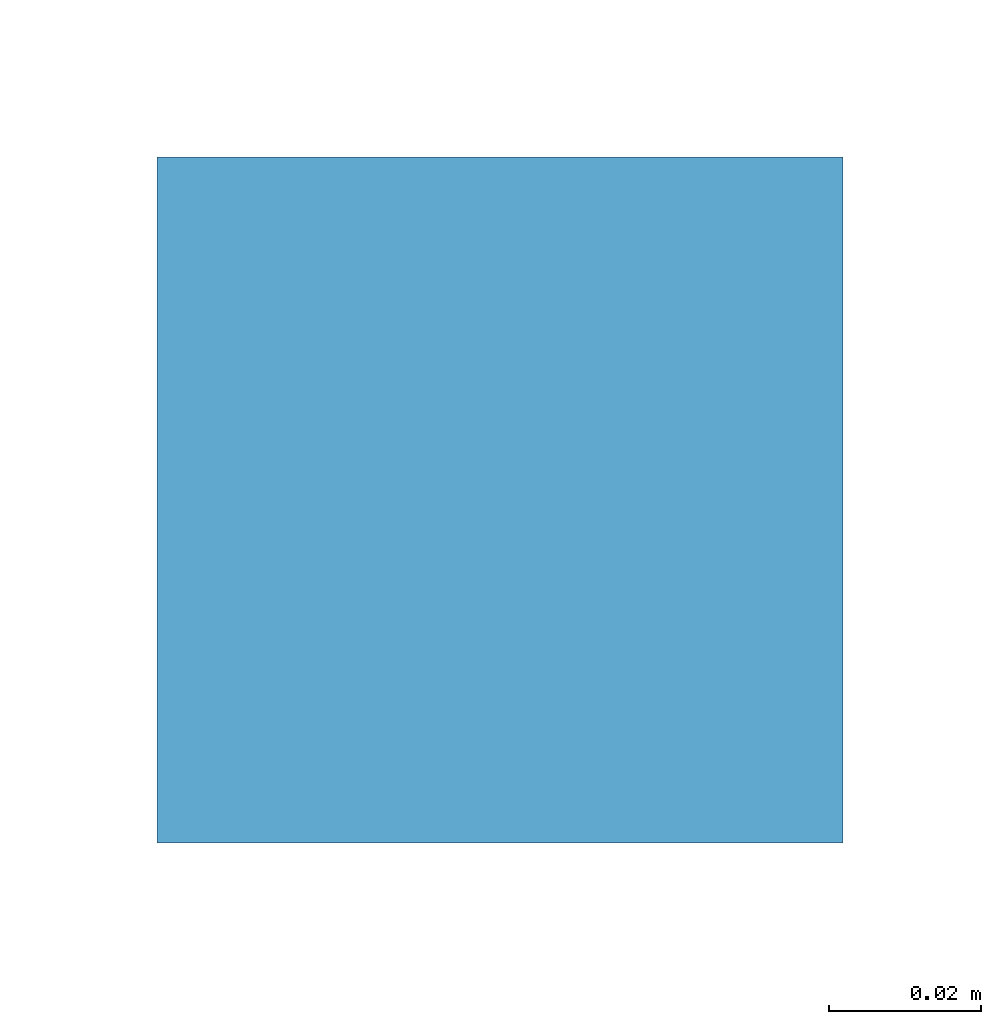
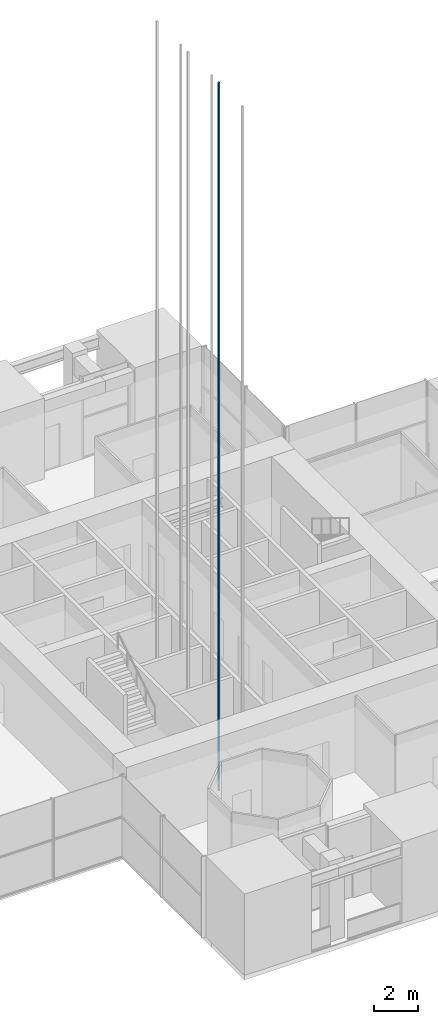
# One storey, part 9 of 17: 1 discrete accessory.
"""IFC4 building model written with IfcOpenShell, lengths in metres."""

from ifc_helpers import new_model, si_unit, direction, frame, origin, origin_2d, place, context, subcontext, project, spatial, rectangle, extrude, element, save


model = new_model("IFC4")

# Units and contexts
model_context = context("Model", 3, precision=1e-05, world=origin(), true_north=direction((0.0, 1.0)))
body_context = subcontext(model_context, "Body", "Model", "MODEL_VIEW")
ifc_project = project(units=[si_unit("LENGTHUNIT", "METRE"), si_unit("AREAUNIT", "SQUARE_METRE"), si_unit("VOLUMEUNIT", "CUBIC_METRE"), si_unit("PLANEANGLEUNIT", "RADIAN"), si_unit("MASSUNIT", "GRAM", prefix="KILO")], contexts=[model_context])

# Site, building, storey
site_placement = place(None, origin())
site = spatial("IfcSite", under=ifc_project, at=site_placement, CompositionType="ELEMENT")
building_placement = place(site_placement, origin())
building = spatial("IfcBuilding", under=site, at=building_placement, Name="Svetlomir Tower", CompositionType="ELEMENT")
storey_placement = place(building_placement, frame((0.0, 0.0, 239.5)))
storey = spatial("IfcBuildingStorey", under=building, at=storey_placement, Name="L57", CompositionType="ELEMENT", Elevation=239.5)

# Discrete accessory
discrete_accessory_placement = place(storey_placement, frame((18.300048828125, 14.97509765625, -1.39990234375), z_axis=(0.0, 0.0, 1.0), x_axis=(1.0, 0.0, 0.0)))
element("IfcDiscreteAccessory", 1, at=discrete_accessory_placement, inside=storey, Name="Lift LD1 guide rail 2", ObjectType="LIFT GUIDE RAIL", PredefinedType="USERDEFINED", context=body_context, shape_type="SweptSolid", body=[
    extrude(rectangle(XDim=0.090087890625, YDim=0.090087890625, at=origin_2d()), origin(), (0.0, 0.0, 1.0), 39.199951171875),
])

save(model, "model.ifc")
